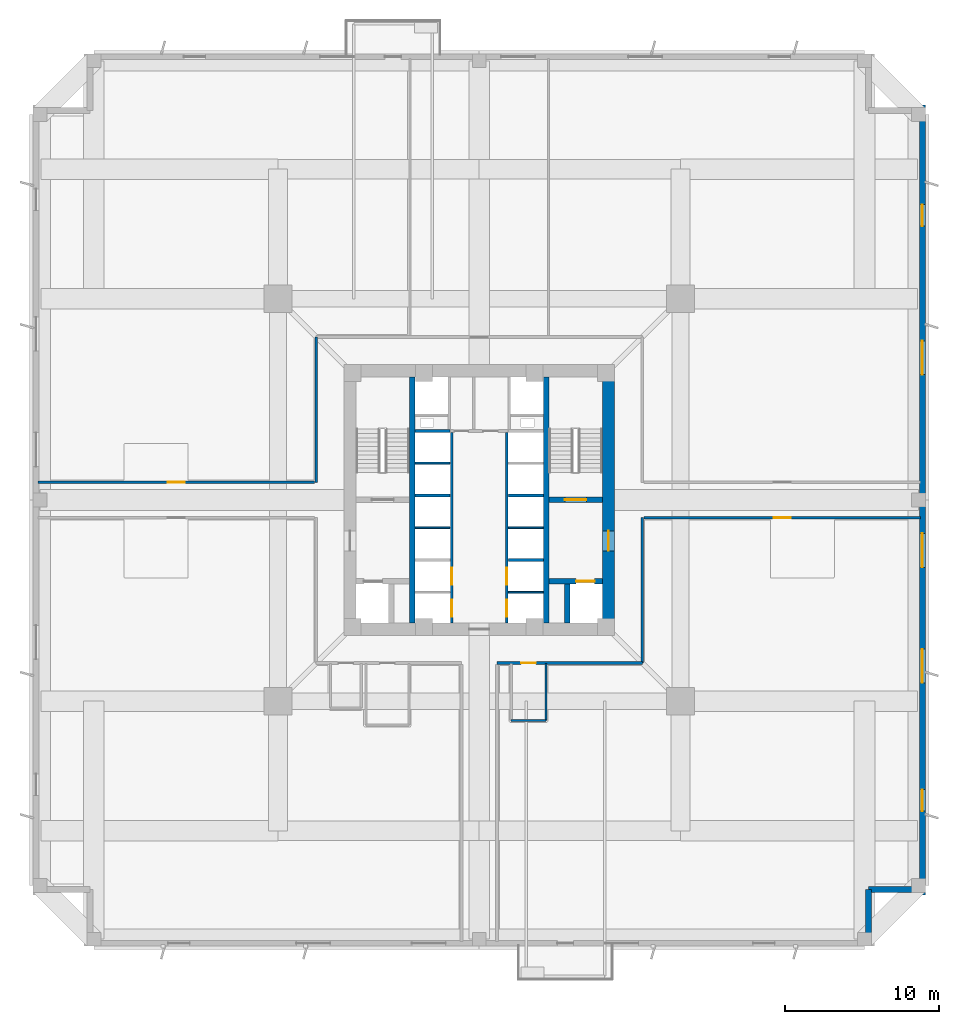
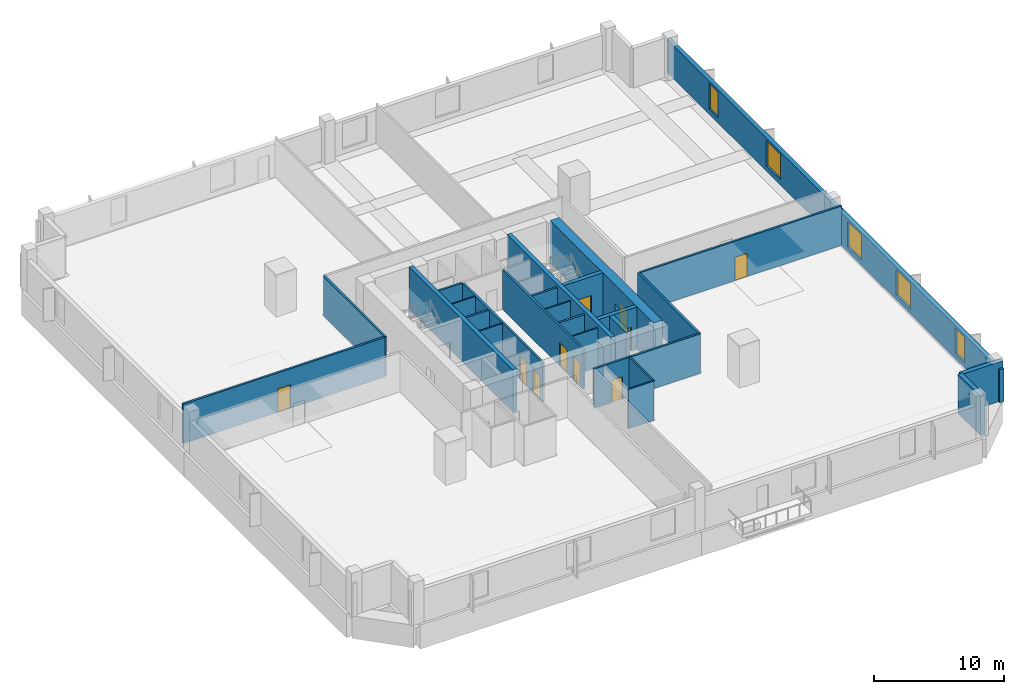
# One storey, part 3 of 9: 26 walls, 10 doors, 5 windows, 15 openings.
"""IFC4 building model written with IfcOpenShell, lengths in metres."""

from ifc_helpers import new_model, si_unit, direction, frame, frame_2d, origin, place, context, subcontext, project, spatial, rectangle, extrude, source, transform, mapped, material, layer, layer_set, type_object, element, fill, save


model = new_model("IFC4")

# Units and contexts
model_context = context("Model", 3, precision=1e-05, world=origin(), true_north=direction((0.0, 1.0)))
body_context = subcontext(model_context, "Body", "Model", "MODEL_VIEW")
ifc_project = project(units=[si_unit("LENGTHUNIT", "METRE"), si_unit("AREAUNIT", "SQUARE_METRE"), si_unit("VOLUMEUNIT", "CUBIC_METRE"), si_unit("PLANEANGLEUNIT", "RADIAN"), si_unit("MASSUNIT", "GRAM", prefix="KILO"), si_unit("THERMODYNAMICTEMPERATUREUNIT", "KELVIN")], contexts=[model_context])

# Site, building, storey
site_placement = place(None, origin())
site = spatial("IfcSite", under=ifc_project, at=site_placement, CompositionType="ELEMENT")
building_placement = place(site_placement, origin())
building = spatial("IfcBuilding", under=site, at=building_placement, Name="Kosmvard Interchange Tower", CompositionType="ELEMENT")
storey_placement = place(building_placement, frame((0.0, 0.0, 26.0)))
storey = spatial("IfcBuildingStorey", under=building, at=storey_placement, Name="L05", CompositionType="ELEMENT", Elevation=26.0)

# Wall, openings, doors
ifc_material_1 = material(Name="Fire-rated gypsum partition system")
ifc_layer_1 = layer(ifc_material_1, 0.179931640625, Name="Fire-rated gypsum partition system")
ifc_layer_set_1 = layer_set([ifc_layer_1], Name="Fire-rated gypsum partition system")
wall_type_1 = type_object("IfcWallType", Name="Corridor & Hotel Compartment Partition 180", PredefinedType="PARTITIONING", material=ifc_layer_set_1)
wall_1_placement = place(storey_placement, frame((-1.7900390625, -7.97998046875, 0.0), z_axis=(0.0, 0.0, 1.0), x_axis=(0.0, 1.0, 0.0)))
wall_1 = element("IfcWall", 1, at=wall_1_placement, inside=storey, type_object=wall_type_1, Name="L05 West Lift Bank Front Wall", PredefinedType="PARTITIONING", context=body_context, shape_type="SweptSolid", body=[
    extrude(rectangle(XDim=12.3798828125, YDim=0.179931640625, at=frame_2d((6.18994140625, 0.0))), origin(), (0.0, 0.0, 1.0), 3.719970703125),
])
opening_1_placement = place(wall_1_placement, frame((0.39990234375, 0.0, 0.0)))
opening_1 = element("IfcOpeningElement", 2, at=opening_1_placement, cuts=wall_1, Name="Opening LD-PL-L1-L05", PredefinedType="OPENING", context=body_context, shape_type="SweptSolid", body=[
    extrude(rectangle(XDim=1.10009765625, YDim=2.199951171875, at=frame_2d((0.550048828125, 1.10009765625))), frame((0.0, 0.10009765625, 0.0), z_axis=(0.0, -1.0, 0.0), x_axis=(1.0, 0.0, 0.0)), (0.0, 0.0, 1.0), 0.199951171875),
])
opening_2_placement = place(wall_1_placement, frame((2.4599609375, 0.0, 0.0)))
opening_2 = element("IfcOpeningElement", 3, at=opening_2_placement, cuts=wall_1, Name="Opening LD-PL-L2-L05", PredefinedType="OPENING", context=body_context, shape_type="SweptSolid", body=[
    extrude(rectangle(XDim=1.10009765625, YDim=2.199951171875, at=frame_2d((0.550048828125, 1.10009765625))), frame((0.0, 0.10009765625, 0.0), z_axis=(0.0, -1.0, 0.0), x_axis=(1.0, 0.0, 0.0)), (0.0, 0.0, 1.0), 0.199951171875),
])
ifc_material_2 = material(Name="Brushed stainless steel sliding leaf", Category="steel")
door_type_1 = type_object("IfcDoorType", Name="Passenger Lift Sliding Landing Door 1100x2200 EI60", OperationType="DOUBLE_DOOR_SLIDING", PredefinedType="DOOR", material=ifc_material_2)
shared_shape_1 = source(origin(), body_context, "Body", "SweptSolid", [
    extrude(rectangle(XDim=1.10009765625, YDim=2.199951171875, at=frame_2d((0.550048828125, 1.10009765625))), frame((0.0, 0.02490234375, 0.0), z_axis=(0.0, -1.0, 0.0), x_axis=(1.0, 0.0, 0.0)), (0.0, 0.0, 1.0), 0.050048828125),
])
door_1_placement = place(opening_1_placement, frame((1.10009765625, 0.0, 0.0), z_axis=(0.0, 0.0, 1.0), x_axis=(-1.0, 0.0, 0.0)))
door_1 = element("IfcDoor", 4, at=door_1_placement, inside=storey, type_object=door_type_1, Name="Lift PL-L1 Landing Door L05", OperationType="DOUBLE_DOOR_SLIDING", OverallHeight=2.199951171875, OverallWidth=1.10009765625, PredefinedType="DOOR", context=body_context, shape_type="MappedRepresentation", body=[
    mapped(shared_shape_1, transform((0.0, 0.0, 0.0), scale=1.0)),
])
fill(opening_1, door_1)
door_2_placement = place(opening_2_placement, frame((1.10009765625, 0.0, 0.0), z_axis=(0.0, 0.0, 1.0), x_axis=(-1.0, 0.0, 0.0)))
door_2 = element("IfcDoor", 5, at=door_2_placement, inside=storey, type_object=door_type_1, Name="Lift PL-L2 Landing Door L05", OperationType="DOUBLE_DOOR_SLIDING", OverallHeight=2.199951171875, OverallWidth=1.10009765625, PredefinedType="DOOR", context=body_context, shape_type="MappedRepresentation", body=[
    mapped(shared_shape_1, transform((0.0, 0.0, 0.0), scale=1.0)),
])
fill(opening_2, door_2)

wall_2_placement = place(storey_placement, frame((1.7900390625, -7.97998046875, 0.0), z_axis=(0.0, 0.0, 1.0), x_axis=(0.0, 1.0, 0.0)))
wall_2 = element("IfcWall", 6, at=wall_2_placement, inside=storey, type_object=wall_type_1, Name="L05 East Lift Bank Front Wall", PredefinedType="PARTITIONING", context=body_context, shape_type="SweptSolid", body=[
    extrude(rectangle(XDim=12.3798828125, YDim=0.179931640625, at=frame_2d((6.18994140625, 0.0))), origin(), (0.0, 0.0, 1.0), 3.719970703125),
])
opening_3_placement = place(wall_2_placement, frame((0.39990234375, 0.0, 0.0)))
opening_3 = element("IfcOpeningElement", 7, at=opening_3_placement, cuts=wall_2, Name="Opening LD-PL-L3-L05", PredefinedType="OPENING", context=body_context, shape_type="SweptSolid", body=[
    extrude(rectangle(XDim=1.10009765625, YDim=2.199951171875, at=frame_2d((0.550048828125, 1.10009765625))), frame((0.0, 0.10009765625, 0.0), z_axis=(0.0, -1.0, 0.0), x_axis=(1.0, 0.0, 0.0)), (0.0, 0.0, 1.0), 0.199951171875),
])
opening_4_placement = place(wall_2_placement, frame((2.4599609375, 0.0, 0.0)))
opening_4 = element("IfcOpeningElement", 8, at=opening_4_placement, cuts=wall_2, Name="Opening LD-PL-L4-L05", PredefinedType="OPENING", context=body_context, shape_type="SweptSolid", body=[
    extrude(rectangle(XDim=1.10009765625, YDim=2.199951171875, at=frame_2d((0.550048828125, 1.10009765625))), frame((0.0, 0.10009765625, 0.0), z_axis=(0.0, -1.0, 0.0), x_axis=(1.0, 0.0, 0.0)), (0.0, 0.0, 1.0), 0.199951171875),
])
door_3_placement = place(opening_3_placement, origin())
door_3 = element("IfcDoor", 9, at=door_3_placement, inside=storey, type_object=door_type_1, Name="Lift PL-L3 Landing Door L05", OperationType="DOUBLE_DOOR_SLIDING", OverallHeight=2.199951171875, OverallWidth=1.10009765625, PredefinedType="DOOR", context=body_context, shape_type="MappedRepresentation", body=[
    mapped(shared_shape_1, transform((0.0, 0.0, 0.0), scale=1.0)),
])
fill(opening_3, door_3)
door_4_placement = place(opening_4_placement, origin())
door_4 = element("IfcDoor", 10, at=door_4_placement, inside=storey, type_object=door_type_1, Name="Lift PL-L4 Landing Door L05", OperationType="DOUBLE_DOOR_SLIDING", OverallHeight=2.199951171875, OverallWidth=1.10009765625, PredefinedType="DOOR", context=body_context, shape_type="MappedRepresentation", body=[
    mapped(shared_shape_1, transform((0.0, 0.0, 0.0), scale=1.0)),
])
fill(opening_4, door_4)

# Wall, opening, door
wall_3_placement = place(storey_placement, frame((1.14990234375, -10.60009765625, 0.0), z_axis=(0.0, 0.0, 1.0), x_axis=(1.0, 0.0, 0.0)))
wall_3 = element("IfcWall", 11, at=wall_3_placement, inside=storey, type_object=wall_type_1, Name="L05 Corridor Wall CSE", PredefinedType="PARTITIONING", context=body_context, shape_type="SweptSolid", body=[
    extrude(rectangle(XDim=9.4501953125, YDim=0.179931640625, at=frame_2d((4.72509765625, 0.0))), origin(), (0.0, 0.0, 1.0), 3.719970703125),
])
opening_5_placement = place(wall_3_placement, frame((1.580078125, 0.0, 0.0)))
opening_5 = element("IfcOpeningElement", 12, at=opening_5_placement, cuts=wall_3, Name="Opening L05-D02", PredefinedType="OPENING", context=body_context, shape_type="SweptSolid", body=[
    extrude(rectangle(XDim=0.949951171875, YDim=2.10009765625, at=frame_2d((0.47509765625, 1.050048828125))), frame((0.0, 0.10009765625, 0.0), z_axis=(0.0, -1.0, 0.0), x_axis=(1.0, 0.0, 0.0)), (0.0, 0.0, 1.0), 0.199951171875),
])
ifc_material_3 = material(Name="Laminated moisture-resistant timber", Category="wood")
door_type_2 = type_object("IfcDoorType", Name="Accessible Washroom Door 950x2100", OperationType="NOTDEFINED", PredefinedType="DOOR", material=ifc_material_3)
shared_shape_2 = source(origin(), body_context, "Body", "SweptSolid", [
    extrude(rectangle(XDim=0.949951171875, YDim=2.10009765625, at=frame_2d((0.47509765625, 1.050048828125))), frame((0.0, 0.02490234375, 0.0), z_axis=(0.0, -1.0, 0.0), x_axis=(1.0, 0.0, 0.0)), (0.0, 0.0, 1.0), 0.050048828125),
])
door_5_placement = place(opening_5_placement, frame((0.949951171875, 0.0, 0.0), z_axis=(0.0, 0.0, 1.0), x_axis=(-1.0, 0.0, 0.0)))
door_5 = element("IfcDoor", 13, at=door_5_placement, inside=storey, type_object=door_type_2, Name="L05 Public Floor Washroom Door", OperationType="SINGLE_SWING_RIGHT", OverallHeight=2.10009765625, OverallWidth=0.949951171875, PredefinedType="DOOR", context=body_context, shape_type="MappedRepresentation", body=[
    mapped(shared_shape_2, transform((0.0, 0.0, 0.0), scale=1.0)),
])
fill(opening_5, door_5)

# Walls
for number, where, z_axis, x_axis, name in (
    (14, (-10.60009765625, 1.14990234375, 0.0), (0.0, 0.0, 1.0), (0.0, 1.0, 0.0), "L05 Corridor Wall CWN"),
    (15, (10.60009765625, -10.60009765625, 0.0), (0.0, 0.0, 1.0), (0.0, 1.0, 0.0), "L05 Corridor Wall CES"),
):
    element("IfcWall", number, at=place(storey_placement, frame(where, z_axis=z_axis, x_axis=x_axis)), inside=storey, type_object=wall_type_1, Name=name, PredefinedType="PARTITIONING", context=body_context, shape_type="SweptSolid", body=[
        extrude(rectangle(XDim=9.4501953125, YDim=0.179931640625, at=frame_2d((4.72509765625, 0.0))), origin(), (0.0, 0.0, 1.0), 3.719970703125),
    ])

# Wall, opening, door
wall_4_placement = place(storey_placement, frame((-28.68505859375, 1.14990234375, 0.0), z_axis=(0.0, 0.0, 1.0), x_axis=(1.0, 0.0, 0.0)))
wall_4 = element("IfcWall", 16, at=wall_4_placement, inside=storey, type_object=wall_type_1, Name="L05 Corridor Wall SWN", PredefinedType="PARTITIONING", context=body_context, shape_type="SweptSolid", body=[
    extrude(rectangle(XDim=17.985107421875, YDim=0.179931640625, at=frame_2d((8.99267578125, 0.0))), origin(), (0.0, 0.0, 1.0), 3.719970703125),
])
opening_6_placement = place(wall_4_placement, frame((8.4423828125, 0.0, 0.0)))
opening_6 = element("IfcOpeningElement", 17, at=opening_6_placement, cuts=wall_4, Name="Opening L05-D04", PredefinedType="OPENING", context=body_context, shape_type="SweptSolid", body=[
    extrude(rectangle(XDim=1.10009765625, YDim=2.199951171875, at=frame_2d((0.550048828125, 1.10009765625))), frame((0.0, 0.10009765625, 0.0), z_axis=(0.0, -1.0, 0.0), x_axis=(1.0, 0.0, 0.0)), (0.0, 0.0, 1.0), 0.199951171875),
])
ifc_material_4 = material(Name="Engineered oak fire-rated timber", Category="wood")
door_type_3 = type_object("IfcDoorType", Name="Office Suite Entrance Door 1100x2200 FD30S", OperationType="NOTDEFINED", PredefinedType="DOOR", material=ifc_material_4)
door_6_placement = place(opening_6_placement, origin())
door_6 = element("IfcDoor", 18, at=door_6_placement, inside=storey, type_object=door_type_3, Name="L05 North-West Open Plan Workplace Door", OperationType="SINGLE_SWING_RIGHT", OverallHeight=2.199951171875, OverallWidth=1.10009765625, PredefinedType="DOOR", context=body_context, shape_type="MappedRepresentation", body=[
    mapped(shared_shape_1, transform((0.0, 0.0, 0.0), scale=1.0)),
])
fill(opening_6, door_6)

wall_5_placement = place(storey_placement, frame((10.699951171875, -1.14990234375, 0.0), z_axis=(0.0, 0.0, 1.0), x_axis=(1.0, 0.0, 0.0)))
wall_5 = element("IfcWall", 19, at=wall_5_placement, inside=storey, type_object=wall_type_1, Name="L05 Corridor Wall SES", PredefinedType="PARTITIONING", context=body_context, shape_type="SweptSolid", body=[
    extrude(rectangle(XDim=17.985107421875, YDim=0.179931640625, at=frame_2d((8.99267578125, 0.0))), origin(), (0.0, 0.0, 1.0), 3.719970703125),
])
opening_7_placement = place(wall_5_placement, frame((8.4423828125, 0.0, 0.0)))
opening_7 = element("IfcOpeningElement", 20, at=opening_7_placement, cuts=wall_5, Name="Opening L05-D07", PredefinedType="OPENING", context=body_context, shape_type="SweptSolid", body=[
    extrude(rectangle(XDim=1.10009765625, YDim=2.199951171875, at=frame_2d((0.550048828125, 1.10009765625))), frame((0.0, 0.10009765625, 0.0), z_axis=(0.0, -1.0, 0.0), x_axis=(1.0, 0.0, 0.0)), (0.0, 0.0, 1.0), 0.199951171875),
])
door_7_placement = place(opening_7_placement, frame((1.10009765625, 0.0, 0.0), z_axis=(0.0, 0.0, 1.0), x_axis=(-1.0, 0.0, 0.0)))
door_7 = element("IfcDoor", 21, at=door_7_placement, inside=storey, type_object=door_type_3, Name="L05 South-East Open Trading Workplace Door", OperationType="SINGLE_SWING_LEFT", OverallHeight=2.199951171875, OverallWidth=1.10009765625, PredefinedType="DOOR", context=body_context, shape_type="MappedRepresentation", body=[
    mapped(shared_shape_1, transform((0.0, 0.0, 0.0), scale=1.0)),
])
fill(opening_7, door_7)

ifc_material_5 = material(Name="Concrete C80/95", Category="concrete")
ifc_layer_2 = layer(ifc_material_5, 0.800048828125, Name="Concrete C80/95")
ifc_layer_set_2 = layer_set([ifc_layer_2], Name="Concrete C80/95")
wall_type_2 = type_object("IfcWallType", Name="Lower Core Shear Wall 800 C80/95", PredefinedType="SHEAR", material=ifc_layer_set_2)
wall_6_placement = place(storey_placement, frame((8.39990234375, -8.0, 0.0), z_axis=(0.0, 0.0, 1.0), x_axis=(0.0, 1.0, 0.0)))
wall_6 = element("IfcWall", 22, at=wall_6_placement, inside=storey, type_object=wall_type_2, Name="L05 Core Shear Wall CW-E", PredefinedType="SHEAR", context=body_context, shape_type="SweptSolid", body=[
    extrude(rectangle(XDim=16.0, YDim=0.800048828125, at=frame_2d((8.0, 0.0))), origin(), (0.0, 0.0, 1.0), 4.0),
])
opening_8_placement = place(wall_6_placement, frame((4.68994140625, 0.0, 0.0)))
opening_8 = element("IfcOpeningElement", 23, at=opening_8_placement, cuts=wall_6, Name="Opening L05-FD2", PredefinedType="OPENING", context=body_context, shape_type="SweptSolid", body=[
    extrude(rectangle(XDim=1.300048828125, YDim=2.199951171875, at=frame_2d((0.64990234375, 1.10009765625))), frame((0.0, 0.41015625, 0.0), z_axis=(0.0, -1.0, 0.0), x_axis=(1.0, 0.0, 0.0)), (0.0, 0.0, 1.0), 0.820068359375),
])
ifc_material_6 = material(Name="Painted fire-rated steel leaf", Category="steel")
door_type_4 = type_object("IfcDoorType", Name="Firefighting Lobby Door 1300x2200 EI60", OperationType="NOTDEFINED", PredefinedType="DOOR", material=ifc_material_6)
shared_shape_3 = source(origin(), body_context, "Body", "SweptSolid", [
    extrude(rectangle(XDim=1.300048828125, YDim=2.199951171875, at=frame_2d((0.64990234375, 1.10009765625))), frame((0.0, 0.02490234375, 0.0), z_axis=(0.0, -1.0, 0.0), x_axis=(1.0, 0.0, 0.0)), (0.0, 0.0, 1.0), 0.050048828125),
])
door_8_placement = place(opening_8_placement, origin())
door_8 = element("IfcDoor", 24, at=door_8_placement, inside=storey, type_object=door_type_4, Name="L05 Firefighting Lobby East Door", OperationType="SINGLE_SWING_RIGHT", OverallHeight=2.199951171875, OverallWidth=1.300048828125, PredefinedType="DOOR", context=body_context, shape_type="MappedRepresentation", body=[
    mapped(shared_shape_3, transform((0.0, 0.0, 0.0), scale=1.0)),
])
fill(opening_8, door_8)

# Walls
ifc_material_7 = material(Name="Precast concrete C45/55", Category="concrete")
ifc_layer_3 = layer(ifc_material_7, 0.3798828125, Name="Precast concrete C45/55")
ifc_layer_set_3 = layer_set([ifc_layer_3], Name="Precast concrete C45/55")
wall_type_3 = type_object("IfcWallType", Name="Lower Tower Precast Pier Wall 380 C45/55", PredefinedType="STANDARD", material=ifc_layer_set_3)
wall_7_placement = place(storey_placement, frame((25.31005859375, -28.81005859375, 0.0), z_axis=(0.0, 0.0, 1.0), x_axis=(0.0, 1.0, 0.0)))
element("IfcWall", 25, at=wall_7_placement, inside=storey, type_object=wall_type_3, Name="L05 Precast Facade Wall N-SE1", PredefinedType="STANDARD", context=body_context, shape_type="SweptSolid", body=[
    extrude(rectangle(XDim=3.5, YDim=0.3798828125, at=frame_2d((1.75, 0.0))), origin(), (0.0, 0.0, 1.0), 3.719970703125),
])
wall_8_placement = place(storey_placement, frame((25.31005859375, -25.31005859375, 0.0), z_axis=(0.0, 0.0, 1.0), x_axis=(1.0, 0.0, 0.0)))
element("IfcWall", 26, at=wall_8_placement, inside=storey, type_object=wall_type_3, Name="L05 Precast Facade Wall N-SE2", PredefinedType="STANDARD", context=body_context, shape_type="SweptSolid", body=[
    extrude(rectangle(XDim=3.68994140625, YDim=0.3798828125, at=frame_2d((1.844970703125, 0.0))), origin(), (0.0, 0.0, 1.0), 3.719970703125),
])

# Wall, openings, windows
wall_9_placement = place(storey_placement, frame((28.81005859375, -25.68994140625, 0.0), z_axis=(0.0, 0.0, 1.0), x_axis=(0.0, 1.0, 0.0)))
wall_9 = element("IfcWall", 27, at=wall_9_placement, inside=storey, type_object=wall_type_3, Name="L05 Precast Facade Wall F-E", PredefinedType="STANDARD", context=body_context, shape_type="SweptSolid", body=[
    extrude(rectangle(XDim=51.3798828125, YDim=0.3798828125, at=frame_2d((25.68994140625, 0.0))), origin(), (0.0, 0.0, 1.0), 3.1201171875),
])
opening_9_placement = place(wall_9_placement, frame((5.465576171875, 0.0, 0.489990234375)))
opening_9 = element("IfcOpeningElement", 28, at=opening_9_placement, cuts=wall_9, Name="Opening L05-W06", PredefinedType="OPENING", context=body_context, shape_type="SweptSolid", body=[
    extrude(rectangle(XDim=1.39990234375, YDim=2.39990234375, at=frame_2d((0.699951171875, 1.199951171875))), frame((0.0, 0.199951171875, 0.0), z_axis=(0.0, -1.0, 0.0), x_axis=(1.0, 0.0, 0.0)), (0.0, 0.0, 1.0), 0.39990234375),
])
opening_10_placement = place(wall_9_placement, frame((13.80029296875, 0.0, 0.489990234375)))
opening_10 = element("IfcOpeningElement", 29, at=opening_10_placement, cuts=wall_9, Name="Opening L05-W07", PredefinedType="OPENING", context=body_context, shape_type="SweptSolid", body=[
    extrude(rectangle(XDim=2.199951171875, YDim=2.39990234375, at=frame_2d((1.10009765625, 1.199951171875))), frame((0.0, 0.199951171875, 0.0), z_axis=(0.0, -1.0, 0.0), x_axis=(1.0, 0.0, 0.0)), (0.0, 0.0, 1.0), 0.39990234375),
])
opening_11_placement = place(wall_9_placement, frame((21.3125, 0.0, 0.489990234375)))
opening_11 = element("IfcOpeningElement", 30, at=opening_11_placement, cuts=wall_9, Name="Opening L05-W08", PredefinedType="OPENING", context=body_context, shape_type="SweptSolid", body=[
    extrude(rectangle(XDim=2.199951171875, YDim=2.39990234375, at=frame_2d((1.10009765625, 1.199951171875))), frame((0.0, 0.199951171875, 0.0), z_axis=(0.0, -1.0, 0.0), x_axis=(1.0, 0.0, 0.0)), (0.0, 0.0, 1.0), 0.39990234375),
])
opening_12_placement = place(wall_9_placement, frame((33.83837890625, 0.0, 0.489990234375)))
opening_12 = element("IfcOpeningElement", 31, at=opening_12_placement, cuts=wall_9, Name="Opening L05-W09", PredefinedType="OPENING", context=body_context, shape_type="SweptSolid", body=[
    extrude(rectangle(XDim=2.199951171875, YDim=2.39990234375, at=frame_2d((1.10009765625, 1.199951171875))), frame((0.0, 0.199951171875, 0.0), z_axis=(0.0, -1.0, 0.0), x_axis=(1.0, 0.0, 0.0)), (0.0, 0.0, 1.0), 0.39990234375),
])
opening_13_placement = place(wall_9_placement, frame((43.48681640625, 0.0, 0.489990234375)))
opening_13 = element("IfcOpeningElement", 32, at=opening_13_placement, cuts=wall_9, Name="Opening L05-W10", PredefinedType="OPENING", context=body_context, shape_type="SweptSolid", body=[
    extrude(rectangle(XDim=1.39990234375, YDim=2.39990234375, at=frame_2d((0.699951171875, 1.199951171875))), frame((0.0, 0.199951171875, 0.0), z_axis=(0.0, -1.0, 0.0), x_axis=(1.0, 0.0, 0.0)), (0.0, 0.0, 1.0), 0.39990234375),
])
ifc_material_8 = material(Name="Low-E solar-control double glazing", Category="glass")
window_type_1 = type_object("IfcWindowType", Name="Notched Corner Feature Window 1400x2400", PartitioningType="SINGLE_PANEL", PredefinedType="WINDOW", material=ifc_material_8)
shared_shape_4 = source(origin(), body_context, "Body", "SweptSolid", [
    extrude(rectangle(XDim=1.39990234375, YDim=2.39990234375, at=frame_2d((0.699951171875, 1.199951171875))), frame((0.0, 0.030029296875, 0.0), z_axis=(0.0, -1.0, 0.0), x_axis=(1.0, 0.0, 0.0)), (0.0, 0.0, 1.0), 0.06005859375),
])
window_1_placement = place(opening_9_placement, origin())
window_1 = element("IfcWindow", 33, at=window_1_placement, inside=storey, type_object=window_type_1, Name="L05 Facade Punched Window 06", OverallHeight=2.39990234375, OverallWidth=1.39990234375, PartitioningType="SINGLE_PANEL", PredefinedType="WINDOW", context=body_context, shape_type="MappedRepresentation", body=[
    mapped(shared_shape_4, transform((0.0, 0.0, 0.0), scale=1.0)),
])
fill(opening_9, window_1)
window_2_placement = place(opening_13_placement, origin())
window_2 = element("IfcWindow", 34, at=window_2_placement, inside=storey, type_object=window_type_1, Name="L05 Facade Punched Window 10", OverallHeight=2.39990234375, OverallWidth=1.39990234375, PartitioningType="SINGLE_PANEL", PredefinedType="WINDOW", context=body_context, shape_type="MappedRepresentation", body=[
    mapped(shared_shape_4, transform((0.0, 0.0, 0.0), scale=1.0)),
])
fill(opening_13, window_2)
window_type_2 = type_object("IfcWindowType", Name="Zone 1 Office Punched Window 2200x2400", PartitioningType="SINGLE_PANEL", PredefinedType="WINDOW", material=ifc_material_8)
shared_shape_5 = source(origin(), body_context, "Body", "SweptSolid", [
    extrude(rectangle(XDim=2.199951171875, YDim=2.39990234375, at=frame_2d((1.10009765625, 1.199951171875))), frame((0.0, 0.030029296875, 0.0), z_axis=(0.0, -1.0, 0.0), x_axis=(1.0, 0.0, 0.0)), (0.0, 0.0, 1.0), 0.06005859375),
])
window_3_placement = place(opening_10_placement, origin())
window_3 = element("IfcWindow", 35, at=window_3_placement, inside=storey, type_object=window_type_2, Name="L05 Facade Punched Window 07", OverallHeight=2.39990234375, OverallWidth=2.199951171875, PartitioningType="SINGLE_PANEL", PredefinedType="WINDOW", context=body_context, shape_type="MappedRepresentation", body=[
    mapped(shared_shape_5, transform((0.0, 0.0, 0.0), scale=1.0)),
])
fill(opening_10, window_3)
window_4_placement = place(opening_11_placement, origin())
window_4 = element("IfcWindow", 36, at=window_4_placement, inside=storey, type_object=window_type_2, Name="L05 Facade Punched Window 08", OverallHeight=2.39990234375, OverallWidth=2.199951171875, PartitioningType="SINGLE_PANEL", PredefinedType="WINDOW", context=body_context, shape_type="MappedRepresentation", body=[
    mapped(shared_shape_5, transform((0.0, 0.0, 0.0), scale=1.0)),
])
fill(opening_11, window_4)
window_5_placement = place(opening_12_placement, origin())
window_5 = element("IfcWindow", 37, at=window_5_placement, inside=storey, type_object=window_type_2, Name="L05 Facade Punched Window 09", OverallHeight=2.39990234375, OverallWidth=2.199951171875, PartitioningType="SINGLE_PANEL", PredefinedType="WINDOW", context=body_context, shape_type="MappedRepresentation", body=[
    mapped(shared_shape_5, transform((0.0, 0.0, 0.0), scale=1.0)),
])
fill(opening_12, window_5)

# Walls
ifc_material_9 = material(Name="Concrete blockwork masonry", Category="masonry")
ifc_layer_4 = layer(ifc_material_9, 0.179931640625, Name="Concrete blockwork masonry")
ifc_layer_set_4 = layer_set([ifc_layer_4], Name="Concrete blockwork masonry")
wall_type_4 = type_object("IfcWallType", Name="Riser & Lift Bank Divider Wall 180", PredefinedType="PARTITIONING", material=ifc_layer_set_4)
for number, where, z_axis, x_axis, name in (
    (38, (1.889892578125, -3.89990234375, 0.0), (0.0, 0.0, 1.0), (1.0, 0.0, 0.0), "L05 East Bank Divider BD1"),
    (39, (-4.169921875, 0.300048828125, 0.0), (0.0, 0.0, 1.0), (1.0, 0.0, 0.0), "L05 West Bank Divider BD2"),
    (40, (1.889892578125, 0.300048828125, 0.0), (0.0, 0.0, 1.0), (1.0, 0.0, 0.0), "L05 East Bank Divider BD2"),
    (41, (-4.169921875, 4.489990234375, 0.0), (0.0, 0.0, 1.0), (1.0, 0.0, 0.0), "L05 West Bank Divider BD3"),
):
    element("IfcWall", number, at=place(storey_placement, frame(where, z_axis=z_axis, x_axis=x_axis)), inside=storey, type_object=wall_type_4, Name=name, PredefinedType="PARTITIONING", context=body_context, shape_type="SweptSolid", body=[
        extrude(rectangle(XDim=2.280029296875, YDim=0.179931640625, at=frame_2d((1.14013671875, 0.0))), origin(), (0.0, 0.0, 1.0), 3.719970703125),
    ])
ifc_material_10 = material(Name="Fire-rated gypsum shaftwall system")
ifc_layer_5 = layer(ifc_material_10, 0.1201171875, Name="Fire-rated gypsum shaftwall system")
ifc_layer_set_5 = layer_set([ifc_layer_5], Name="Fire-rated gypsum shaftwall system")
wall_type_5 = type_object("IfcWallType", Name="Shaft & Riser Fire Partition 120 EI60", PredefinedType="PARTITIONING", material=ifc_layer_set_5)
for number, where, z_axis, x_axis, name in (
    (42, (1.89990234375, -6.0, 0.0), (0.0, 0.0, 1.0), (1.0, 0.0, 0.0), "L05 Shaft Divider PL-L3"),
    (43, (-4.159912109375, -1.800048828125, 0.0), (0.0, 0.0, 1.0), (1.0, 0.0, 0.0), "L05 Shaft Divider PL-M1"),
    (44, (1.89990234375, -1.800048828125, 0.0), (0.0, 0.0, 1.0), (1.0, 0.0, 0.0), "L05 Shaft Divider PL-M3"),
    (45, (-4.159912109375, 2.39990234375, 0.0), (0.0, 0.0, 1.0), (1.0, 0.0, 0.0), "L05 Shaft Divider PL-H1"),
):
    element("IfcWall", number, at=place(storey_placement, frame(where, z_axis=z_axis, x_axis=x_axis)), inside=storey, type_object=wall_type_5, Name=name, PredefinedType="PARTITIONING", context=body_context, shape_type="SweptSolid", body=[
        extrude(rectangle(XDim=2.260009765625, YDim=0.1201171875, at=frame_2d((1.1298828125, 0.0))), origin(), (0.0, 0.0, 1.0), 3.719970703125),
    ])
ifc_material_11 = material(Name="Concrete C60/75", Category="concrete")
ifc_layer_6 = layer(ifc_material_11, 0.360107421875, Name="Concrete C60/75")
ifc_layer_set_6 = layer_set([ifc_layer_6], Name="Concrete C60/75")
wall_type_6 = type_object("IfcWallType", Name="Stair & Lift Shaft Shear Wall 360 C60/75", PredefinedType="SHEAR", material=ifc_layer_set_6)
for number, where, z_axis, x_axis, name in (
    (46, (-4.360107421875, -8.0, 0.0), (0.0, 0.0, 1.0), (0.0, 1.0, 0.0), "L05 Shaft Shear Wall SW-W"),
    (47, (4.360107421875, -8.0, 0.0), (0.0, 0.0, 1.0), (0.0, 1.0, 0.0), "L05 Shaft Shear Wall SW-E"),
):
    element("IfcWall", number, at=place(storey_placement, frame(where, z_axis=z_axis, x_axis=x_axis)), inside=storey, type_object=wall_type_6, Name=name, PredefinedType="SHEAR", context=body_context, shape_type="SweptSolid", body=[
        extrude(rectangle(XDim=16.0, YDim=0.360107421875, at=frame_2d((8.0, 0.0))), origin(), (0.0, 0.0, 1.0), 4.0),
    ])

# Wall, opening, door
wall_10_placement = place(storey_placement, frame((4.5400390625, 0.02001953125, 0.0), z_axis=(0.0, 0.0, 1.0), x_axis=(1.0, 0.0, 0.0)))
wall_10 = element("IfcWall", 48, at=wall_10_placement, inside=storey, type_object=wall_type_6, Name="L05 Shaft Shear Wall SW-ST2", PredefinedType="SHEAR", context=body_context, shape_type="SweptSolid", body=[
    extrude(rectangle(XDim=3.4599609375, YDim=0.360107421875, at=frame_2d((1.72998046875, 0.0))), origin(), (0.0, 0.0, 1.0), 4.0),
])
opening_14_placement = place(wall_10_placement, frame((1.030029296875, 0.0, 0.0)))
opening_14 = element("IfcOpeningElement", 49, at=opening_14_placement, cuts=wall_10, Name="Opening L05-SD2", PredefinedType="OPENING", context=body_context, shape_type="SweptSolid", body=[
    extrude(rectangle(XDim=1.39990234375, YDim=2.199951171875, at=frame_2d((0.699951171875, 1.10009765625))), frame((0.0, 0.18994140625, 0.0), z_axis=(0.0, -1.0, 0.0), x_axis=(1.0, 0.0, 0.0)), (0.0, 0.0, 1.0), 0.380126953125),
])
door_type_5 = type_object("IfcDoorType", Name="Protected Stair Door 1400x2200 FD60S", OperationType="NOTDEFINED", PredefinedType="DOOR", material=ifc_material_6)
shared_shape_6 = source(origin(), body_context, "Body", "SweptSolid", [
    extrude(rectangle(XDim=1.39990234375, YDim=2.199951171875, at=frame_2d((0.699951171875, 1.10009765625))), frame((0.0, 0.02490234375, 0.0), z_axis=(0.0, -1.0, 0.0), x_axis=(1.0, 0.0, 0.0)), (0.0, 0.0, 1.0), 0.050048828125),
])
door_9_placement = place(opening_14_placement, origin())
door_9 = element("IfcDoor", 50, at=door_9_placement, inside=storey, type_object=door_type_5, Name="L05 Stair ST-2 Enclosure Door", OperationType="SINGLE_SWING_RIGHT", OverallHeight=2.199951171875, OverallWidth=1.39990234375, PredefinedType="DOOR", context=body_context, shape_type="MappedRepresentation", body=[
    mapped(shared_shape_6, transform((0.0, 0.0, 0.0), scale=1.0)),
])
fill(opening_14, door_9)

wall_11_placement = place(storey_placement, frame((4.5400390625, -5.280029296875, 0.0), z_axis=(0.0, 0.0, 1.0), x_axis=(1.0, 0.0, 0.0)))
wall_11 = element("IfcWall", 51, at=wall_11_placement, inside=storey, type_object=wall_type_6, Name="L05 Shaft Shear Wall SW-FF2", PredefinedType="SHEAR", context=body_context, shape_type="SweptSolid", body=[
    extrude(rectangle(XDim=3.4599609375, YDim=0.360107421875, at=frame_2d((1.72998046875, 0.0))), origin(), (0.0, 0.0, 1.0), 4.0),
])
opening_15_placement = place(wall_11_placement, frame((1.760009765625, 0.0, 0.0)))
opening_15 = element("IfcOpeningElement", 52, at=opening_15_placement, cuts=wall_11, Name="Opening LD-FF-2-L05", PredefinedType="OPENING", context=body_context, shape_type="SweptSolid", body=[
    extrude(rectangle(XDim=1.199951171875, YDim=2.25, at=frame_2d((0.60009765625, 1.125))), frame((0.0, 0.18994140625, 0.0), z_axis=(0.0, -1.0, 0.0), x_axis=(1.0, 0.0, 0.0)), (0.0, 0.0, 1.0), 0.380126953125),
])
door_type_6 = type_object("IfcDoorType", Name="Firefighting Lift Sliding Landing Door 1200x2250 EI120", OperationType="DOUBLE_DOOR_SLIDING", PredefinedType="DOOR", material=ifc_material_2)
shared_shape_7 = source(origin(), body_context, "Body", "SweptSolid", [
    extrude(rectangle(XDim=1.199951171875, YDim=2.25, at=frame_2d((0.60009765625, 1.125))), frame((0.0, 0.02490234375, 0.0), z_axis=(0.0, -1.0, 0.0), x_axis=(1.0, 0.0, 0.0)), (0.0, 0.0, 1.0), 0.050048828125),
])
door_10_placement = place(opening_15_placement, origin())
door_10 = element("IfcDoor", 53, at=door_10_placement, inside=storey, type_object=door_type_6, Name="Lift FF-2 Landing Door L05", OperationType="DOUBLE_DOOR_SLIDING", OverallHeight=2.25, OverallWidth=1.199951171875, PredefinedType="DOOR", context=body_context, shape_type="MappedRepresentation", body=[
    mapped(shared_shape_7, transform((0.0, 0.0, 0.0), scale=1.0)),
])
fill(opening_15, door_10)

# Walls
wall_12_placement = place(storey_placement, frame((5.7099609375, -8.0, 0.0), z_axis=(0.0, 0.0, 1.0), x_axis=(0.0, 1.0, 0.0)))
element("IfcWall", 54, at=wall_12_placement, inside=storey, type_object=wall_type_6, Name="L05 Shaft Shear Wall SW-SM2", PredefinedType="SHEAR", context=body_context, shape_type="SweptSolid", body=[
    extrude(rectangle(XDim=2.5400390625, YDim=0.360107421875, at=frame_2d((1.27001953125, 0.0))), origin(), (0.0, 0.0, 1.0), 4.0),
])
ifc_material_12 = material(Name="Moisture-resistant gypsum partition")
ifc_layer_7 = layer(ifc_material_12, 0.135009765625, Name="Moisture-resistant gypsum partition")
ifc_layer_set_7 = layer_set([ifc_layer_7], Name="Moisture-resistant gypsum partition")
wall_type_7 = type_object("IfcWallType", Name="Wet Room Moisture-Resistant Partition 135", PredefinedType="PARTITIONING", material=ifc_layer_set_7)
wall_13_placement = place(storey_placement, frame((2.080078125, -14.320068359375, 0.0), z_axis=(0.0, 0.0, 1.0), x_axis=(1.0, 0.0, 0.0)))
element("IfcWall", 55, at=wall_13_placement, inside=storey, type_object=wall_type_7, Name="L05 Washroom Partition WC1-S", PredefinedType="PARTITIONING", context=body_context, shape_type="SweptSolid", body=[
    extrude(rectangle(XDim=2.25, YDim=0.135009765625, at=frame_2d((1.125, 0.0))), origin(), (0.0, 0.0, 1.0), 3.719970703125),
])
wall_14_placement = place(storey_placement, frame((4.330078125, -14.320068359375, 0.0), z_axis=(0.0, 0.0, 1.0), x_axis=(0.0, 1.0, 0.0)))
element("IfcWall", 56, at=wall_14_placement, inside=storey, type_object=wall_type_7, Name="L05 Washroom Partition WC1-E", PredefinedType="PARTITIONING", context=body_context, shape_type="SweptSolid", body=[
    extrude(rectangle(XDim=3.699951171875, YDim=0.135009765625, at=frame_2d((1.85009765625, 0.0))), origin(), (0.0, 0.0, 1.0), 3.719970703125),
])

save(model, "model.ifc")
